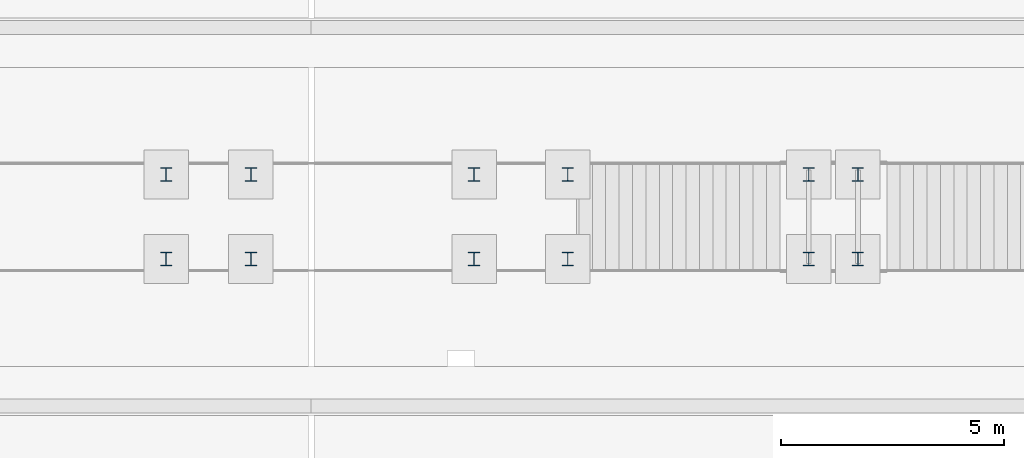
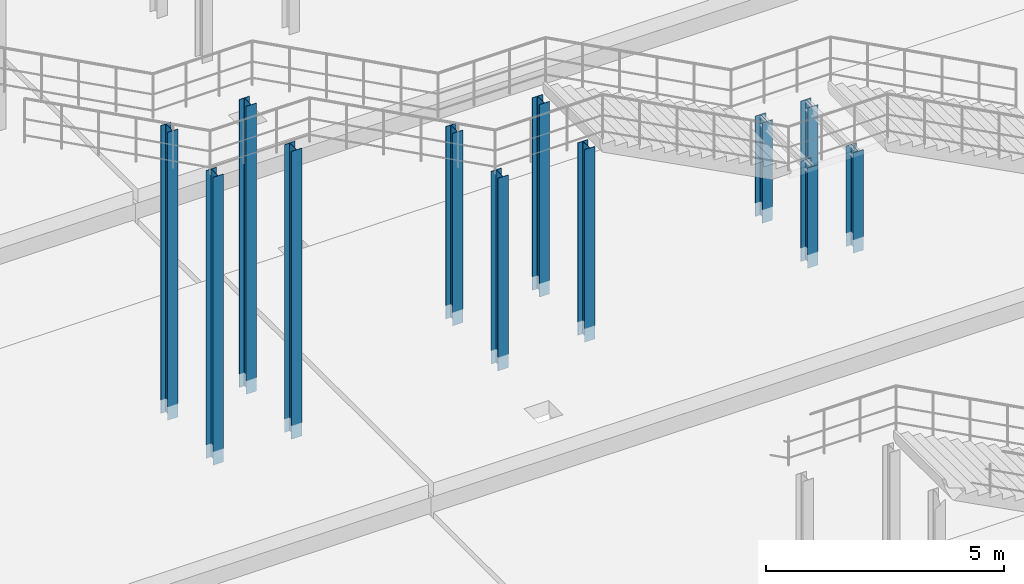
# One storey, part 19 of 147: 12 columns.
"""IFC4 building model written with IfcOpenShell, lengths in metres."""

from ifc_helpers import new_model, si_unit, direction, frame, origin, origin_2d, place, context, subcontext, project, spatial, i_section, extrude, material, material_profile, profile_set, type_object, element, save


model = new_model("IFC4")

# Units and contexts
model_context = context("Model", 3, precision=1e-05, world=origin(), true_north=direction((0.0, 1.0)))
body_context = subcontext(model_context, "Body", "Model", "MODEL_VIEW")
ifc_project = project(units=[si_unit("LENGTHUNIT", "METRE"), si_unit("AREAUNIT", "SQUARE_METRE"), si_unit("VOLUMEUNIT", "CUBIC_METRE"), si_unit("PLANEANGLEUNIT", "RADIAN"), si_unit("MASSUNIT", "GRAM", prefix="KILO")], contexts=[model_context])

# Site, building, storey
site_placement = place(None, origin())
site = spatial("IfcSite", under=ifc_project, at=site_placement, CompositionType="ELEMENT")
building_placement = place(site_placement, origin())
building = spatial("IfcBuilding", under=site, at=building_placement, Name="Varnabhumi Central Station", CompositionType="ELEMENT")
storey_placement = place(building_placement, origin())
storey = spatial("IfcBuildingStorey", under=building, at=storey_placement, Name="L00", CompositionType="ELEMENT", Elevation=0.0)

# Columns
ifc_material = material(Name="Structural steel E350", Category="steel")
ifc_material_profile = material_profile(ifc_material, i_section(OverallWidth=0.25, OverallDepth=0.300048828125, WebThickness=0.009521484375, FlangeThickness=0.010498046875, FilletRadius=0.010986328125, at=origin_2d()), Name="Structural steel E350", Category="steel")
ifc_profile_set = profile_set([ifc_material_profile], Name="Structural steel E350")
column_type = type_object("IfcColumnType", Name="COL-GALLERY-ISHB300", PredefinedType="COLUMN", material=ifc_profile_set)
for number, where, z_axis, x_axis, name in (
    (1, (131.14990234375, 52.85009765625, -0.35009765625), (0.0, 0.0, 1.0), (1.0, 0.0, 0.0), "Stair Support Column P2-p2_l0mid-1S"),
    (2, (131.14990234375, 54.75, -0.35009765625), (0.0, 0.0, 1.0), (1.0, 0.0, 0.0), "Stair Support Column P2-p2_l0mid-1N"),
    (3, (132.25, 52.85009765625, -0.35009765625), (0.0, 0.0, 1.0), (1.0, 0.0, 0.0), "Stair Support Column P2-p2_l0mid-2S"),
    (4, (132.25, 54.75, -0.35009765625), (0.0, 0.0, 1.0), (1.0, 0.0, 0.0), "Stair Support Column P2-p2_l0mid-2N"),
):
    element("IfcColumn", number, at=place(storey_placement, frame(where, z_axis=z_axis, x_axis=x_axis)), inside=storey, type_object=column_type, Name=name, PredefinedType="COLUMN", context=body_context, shape_type="SweptSolid", body=[
        extrude(i_section(OverallWidth=0.25, OverallDepth=0.300048828125, WebThickness=0.009521484375, FlangeThickness=0.010498046875, FilletRadius=0.010986328125, at=origin_2d()), origin(), (0.0, 0.0, 1.0), 2.570068359375),
    ])
for number, where, z_axis, x_axis, name in (
    (5, (123.64990234375, 52.85009765625, -0.35009765625), (0.0, 0.0, 1.0), (1.0, 0.0, 0.0), "Stair Support Column P2-p2_l1xfer-1S"),
    (6, (123.64990234375, 54.75, -0.35009765625), (0.0, 0.0, 1.0), (1.0, 0.0, 0.0), "Stair Support Column P2-p2_l1xfer-1N"),
    (7, (125.75, 52.85009765625, -0.35009765625), (0.0, 0.0, 1.0), (1.0, 0.0, 0.0), "Stair Support Column P2-p2_l1xfer-2S"),
    (8, (125.75, 54.75, -0.35009765625), (0.0, 0.0, 1.0), (1.0, 0.0, 0.0), "Stair Support Column P2-p2_l1xfer-2N"),
):
    element("IfcColumn", number, at=place(storey_placement, frame(where, z_axis=z_axis, x_axis=x_axis)), inside=storey, type_object=column_type, Name=name, PredefinedType="COLUMN", context=body_context, shape_type="SweptSolid", body=[
        extrude(i_section(OverallWidth=0.25, OverallDepth=0.300048828125, WebThickness=0.009521484375, FlangeThickness=0.010498046875, FilletRadius=0.010986328125, at=origin_2d()), origin(), (0.0, 0.0, 1.0), 4.93017578125),
    ])
for number, where, z_axis, x_axis, name in (
    (9, (116.75, 52.85009765625, -0.35009765625), (0.0, 0.0, 1.0), (1.0, 0.0, 0.0), "Stair Support Column P2-p2_l1mid-1S"),
    (10, (116.75, 54.75, -0.35009765625), (0.0, 0.0, 1.0), (1.0, 0.0, 0.0), "Stair Support Column P2-p2_l1mid-1N"),
    (11, (118.64990234375, 52.85009765625, -0.35009765625), (0.0, 0.0, 1.0), (1.0, 0.0, 0.0), "Stair Support Column P2-p2_l1mid-2S"),
    (12, (118.64990234375, 54.75, -0.35009765625), (0.0, 0.0, 1.0), (1.0, 0.0, 0.0), "Stair Support Column P2-p2_l1mid-2N"),
):
    element("IfcColumn", number, at=place(storey_placement, frame(where, z_axis=z_axis, x_axis=x_axis)), inside=storey, type_object=column_type, Name=name, PredefinedType="COLUMN", context=body_context, shape_type="SweptSolid", body=[
        extrude(i_section(OverallWidth=0.25, OverallDepth=0.300048828125, WebThickness=0.009521484375, FlangeThickness=0.010498046875, FilletRadius=0.010986328125, at=origin_2d()), origin(), (0.0, 0.0, 1.0), 7.3701171875),
    ])

save(model, "model.ifc")
